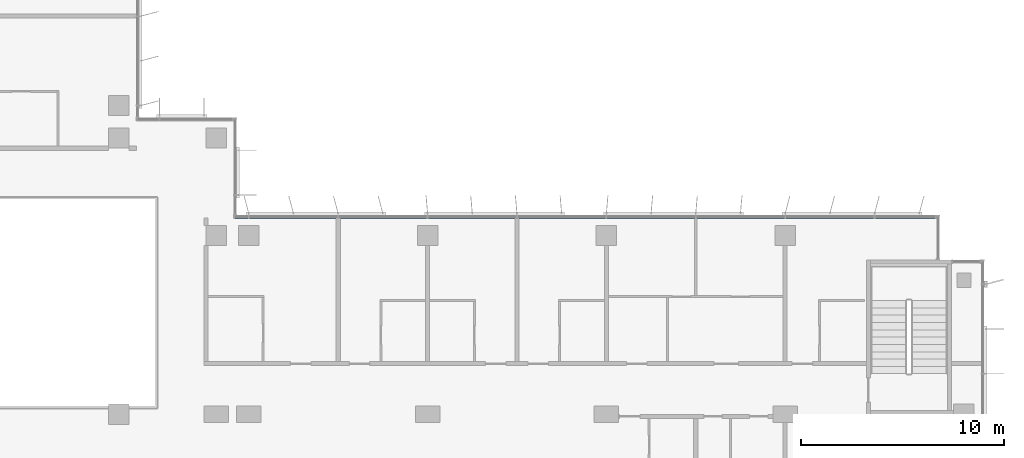
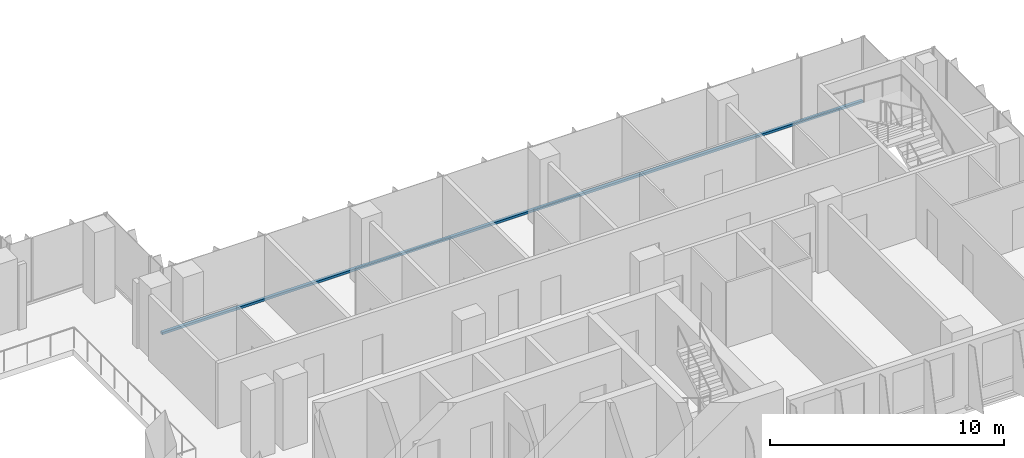
# One storey, part 3 of 21: 1 member, 1 element without a shape of its own.
"""IFC4 building model written with IfcOpenShell, lengths in metres."""

from ifc_helpers import new_model, si_unit, direction, frame, origin, origin_2d, place, context, subcontext, project, spatial, rectangle, extrude, material, material_profile, profile_set, type_object, element, aggregate, save


model = new_model("IFC4")

# Units and contexts
model_context = context("Model", 3, precision=1e-05, world=origin(), true_north=direction((0.0, 1.0)))
body_context = subcontext(model_context, "Body", "Model", "MODEL_VIEW")
ifc_project = project(units=[si_unit("LENGTHUNIT", "METRE"), si_unit("AREAUNIT", "SQUARE_METRE"), si_unit("VOLUMEUNIT", "CUBIC_METRE"), si_unit("PLANEANGLEUNIT", "RADIAN"), si_unit("MASSUNIT", "GRAM", prefix="KILO")], contexts=[model_context])

# Site, building, storey
site_placement = place(None, origin())
site = spatial("IfcSite", under=ifc_project, at=site_placement, CompositionType="ELEMENT")
building_placement = place(site_placement, origin())
building = spatial("IfcBuilding", under=site, at=building_placement, Name="Kemantara Hotel Tower", CompositionType="ELEMENT")
storey_placement = place(building_placement, frame((0.0, 0.0, 208.0)))
storey = spatial("IfcBuildingStorey", under=building, at=storey_placement, Name="L51", CompositionType="ELEMENT", Elevation=208.0)

# Curtain wall, member
ifc_material_1 = material(Name="Low-E tinted double insulated glass 36 mm", Category="glass")
curtain_wall_type = type_object("IfcCurtainWallType", Name="TOWER CURTAIN WALL, FRONT FACES", PredefinedType="USERDEFINED", material=ifc_material_1)
curtain_wall_placement = place(storey_placement, origin())
curtain_wall = element("IfcCurtainWall", 1, at=curtain_wall_placement, inside=storey, type_object=curtain_wall_type, Name="CW4 L51 T3-R14-1", ObjectType="TOWER CURTAIN WALL, FRONT FACES", PredefinedType="USERDEFINED")
ifc_material_2 = material(Name="Aluminium 6063-T6 bronze anodised", Category="aluminium")
ifc_material_profile = material_profile(ifc_material_2, rectangle(XDim=0.14990234375, YDim=0.1201171875, at=origin_2d()), Name="TOWER CURTAIN WALL, FRONT FACES TRANSOM")
ifc_profile_set = profile_set([ifc_material_profile], Name="Aluminium 6063-T6 bronze anodised")
member_type = type_object("IfcMemberType", Name="TOWER CURTAIN WALL, FRONT FACES TRANSOM", PredefinedType="USERDEFINED", material=ifc_profile_set)
member_placement = place(storey_placement, frame((61.25, 21.925048828125, 0.06005859375), z_axis=(-1.0, 0.0, 0.0), x_axis=(0.0, -1.0, 0.0)))
member = element("IfcMember", 2, at=member_placement, type_object=member_type, Name="CW4 sill transom T3-R14-1", ObjectType="TRANSOM", PredefinedType="USERDEFINED", context=body_context, shape_type="SweptSolid", body=[
    extrude(rectangle(XDim=0.14990234375, YDim=0.1201171875, at=origin_2d()), origin(), (0.0, 0.0, 1.0), 34.60009765625),
])
aggregate(curtain_wall, [member])

save(model, "model.ifc")
